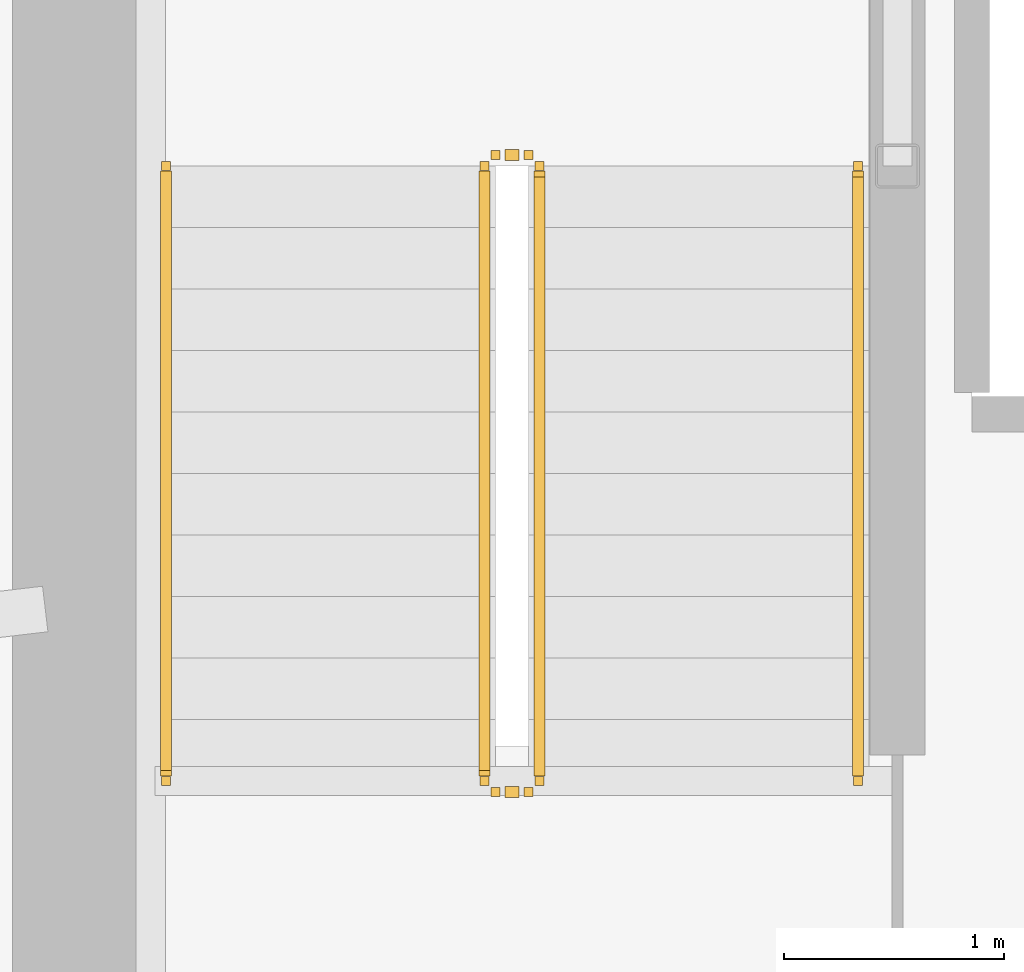
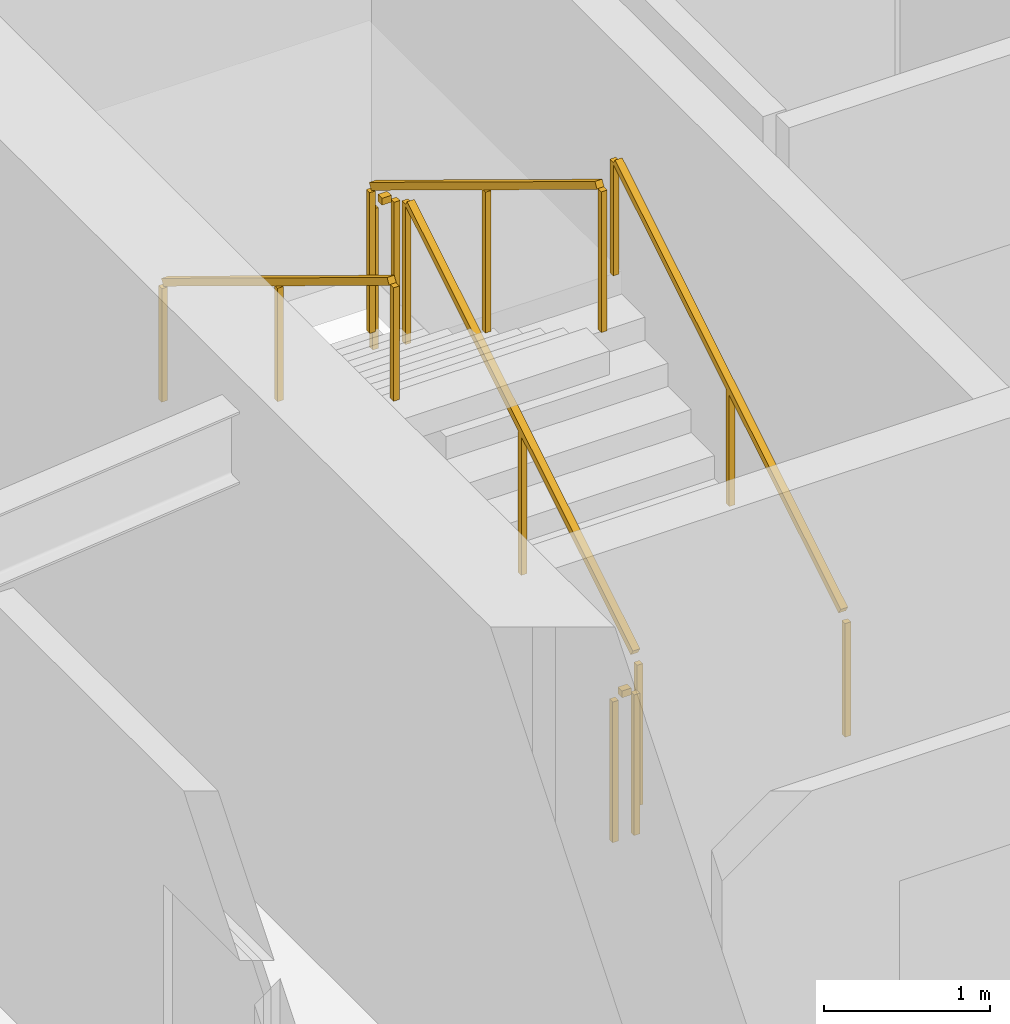
# One storey, part 17 of 20: 6 railings.
"""IFC4 building model written with IfcOpenShell, lengths in metres."""

from ifc_helpers import new_model, si_unit, direction, frame, origin, origin_2d, place, context, subcontext, project, spatial, rectangle, extrude, material, type_object, element, save


model = new_model("IFC4")

# Units and contexts
model_context = context("Model", 3, precision=1e-05, world=origin(), true_north=direction((0.0, 1.0)))
body_context = subcontext(model_context, "Body", "Model", "MODEL_VIEW")
ifc_project = project(units=[si_unit("LENGTHUNIT", "METRE"), si_unit("AREAUNIT", "SQUARE_METRE"), si_unit("VOLUMEUNIT", "CUBIC_METRE"), si_unit("PLANEANGLEUNIT", "RADIAN"), si_unit("MASSUNIT", "GRAM", prefix="KILO")], contexts=[model_context])

# Site, building, storey
site_placement = place(None, origin())
site = spatial("IfcSite", under=ifc_project, at=site_placement, CompositionType="ELEMENT")
building_placement = place(site_placement, origin())
building = spatial("IfcBuilding", under=site, at=building_placement, Name="Kazma Halo Residences", CompositionType="ELEMENT")
storey_placement = place(building_placement, frame((0.0, 0.0, 202.800048828125)))
storey = spatial("IfcBuildingStorey", under=building, at=storey_placement, Name="L51", CompositionType="ELEMENT", Elevation=202.800048828125)

# Railings
ifc_material_1 = material(Name="Painted Steel S355", Category="steel")
railing_type_1 = type_object("IfcRailingType", Name="RLG-STAIR-GRD-1100", PredefinedType="GUARDRAIL", material=ifc_material_1)
railing_1_placement = place(storey_placement, frame((39.550048828125, 39.949951171875, 0.17041015625)))
element("IfcRailing", 1, at=railing_1_placement, inside=storey, type_object=railing_type_1, Name="L51 ST-01 stair guard 1", PredefinedType="GUARDRAIL", context=body_context, shape_type="SweptSolid", body=[
    extrude(rectangle(XDim=0.050048828125, YDim=0.050048828125, at=origin_2d()), frame((0.0, 0.036376953125, 1.09716796875), z_axis=(0.0, 0.854169791009, 0.51999420009), x_axis=(-1.0, 0.0, 0.0)), (0.0, 0.0, 1.0), 3.193115234375),
    extrude(rectangle(XDim=0.0400390625, YDim=0.0400390625, at=origin_2d()), origin(), (0.0, 0.0, 1.0), 1.0380859375),
    extrude(rectangle(XDim=0.0400390625, YDim=0.0400390625, at=origin_2d()), frame((0.0, 1.39990234375, 0.852294921875)), (0.0, 0.0, 1.0), 1.0380859375),
    extrude(rectangle(XDim=0.0400390625, YDim=0.0400390625, at=origin_2d()), frame((0.0, 2.800048828125, 1.70458984375)), (0.0, 0.0, 1.0), 1.0380859375),
])
railing_2_placement = place(storey_placement, frame((39.5, 42.800048828125, 1.875)))
element("IfcRailing", 2, at=railing_2_placement, inside=storey, type_object=railing_type_1, Name="L51 ST-01 stair guard 2", PredefinedType="GUARDRAIL", context=body_context, shape_type="SweptSolid", body=[
    extrude(rectangle(XDim=0.050048828125, YDim=0.050048828125, at=origin_2d()), frame((-0.04248046875, 0.0, 1.0751953125), z_axis=(-1.0, 0.0, 0.0), x_axis=(0.0, -1.0, 0.0)), (0.0, 0.0, 1.0), 0.06494140625),
    extrude(rectangle(XDim=0.0400390625, YDim=0.0400390625, at=origin_2d()), origin(), (0.0, 0.0, 1.0), 1.0380859375),
    extrude(rectangle(XDim=0.0400390625, YDim=0.0400390625, at=origin_2d()), frame((-0.14990234375, 0.0, 0.0)), (0.0, 0.0, 1.0), 1.0380859375),
])
railing_3_placement = place(storey_placement, frame((39.300048828125, 42.75, 2.04541015625)))
element("IfcRailing", 3, at=railing_3_placement, inside=storey, type_object=railing_type_1, Name="L51 ST-01 stair guard 3", PredefinedType="GUARDRAIL", context=body_context, shape_type="SweptSolid", body=[
    extrude(rectangle(XDim=0.050048828125, YDim=0.050048828125, at=origin_2d()), frame((0.0, -0.036376953125, 1.09716796875), z_axis=(0.0, -0.854169791009, 0.51999420009), x_axis=(1.0, 0.0, 0.0)), (0.0, 0.0, 1.0), 3.193115234375),
    extrude(rectangle(XDim=0.0400390625, YDim=0.0400390625, at=origin_2d()), origin(), (0.0, 0.0, 1.0), 1.0380859375),
    extrude(rectangle(XDim=0.0400390625, YDim=0.0400390625, at=origin_2d()), frame((0.0, -1.39990234375, 0.852294921875)), (0.0, 0.0, 1.0), 1.0380859375),
    extrude(rectangle(XDim=0.0400390625, YDim=0.0400390625, at=origin_2d()), frame((0.0, -2.800048828125, 1.70458984375)), (0.0, 0.0, 1.0), 1.0380859375),
])
railing_4_placement = place(storey_placement, frame((39.5, 39.89990234375, 0.0)))
element("IfcRailing", 4, at=railing_4_placement, inside=storey, type_object=railing_type_1, Name="L51 ST-01 stair guard 4", PredefinedType="GUARDRAIL", context=body_context, shape_type="SweptSolid", body=[
    extrude(rectangle(XDim=0.050048828125, YDim=0.050048828125, at=origin_2d()), frame((-0.04248046875, 0.0, 1.0751953125), z_axis=(-1.0, 0.0, 0.0), x_axis=(0.0, -1.0, 0.0)), (0.0, 0.0, 1.0), 0.06494140625),
    extrude(rectangle(XDim=0.0400390625, YDim=0.0400390625, at=origin_2d()), origin(), (0.0, 0.0, 1.0), 1.0380859375),
    extrude(rectangle(XDim=0.0400390625, YDim=0.0400390625, at=origin_2d()), frame((-0.14990234375, 0.0, 0.0)), (0.0, 0.0, 1.0), 1.0380859375),
])
ifc_material_2 = material(Name="Brushed Stainless Steel", Category="steel")
railing_type_2 = type_object("IfcRailingType", Name="RLG-STAIR-HND-900", PredefinedType="HANDRAIL", material=ifc_material_2)
railing_5_placement = place(storey_placement, frame((41.0, 39.949951171875, 0.17041015625)))
element("IfcRailing", 5, at=railing_5_placement, inside=storey, type_object=railing_type_2, Name="L51 ST-01 stair handrail 1", PredefinedType="HANDRAIL", context=body_context, shape_type="SweptSolid", body=[
    extrude(rectangle(XDim=0.050048828125, YDim=0.050048828125, at=origin_2d()), frame((0.0, 0.036376953125, 0.89697265625), z_axis=(0.0, 0.854169791009, 0.51999420009), x_axis=(-1.0, 0.0, 0.0)), (0.0, 0.0, 1.0), 3.193115234375),
    extrude(rectangle(XDim=0.0400390625, YDim=0.0400390625, at=origin_2d()), origin(), (0.0, 0.0, 1.0), 0.837890625),
    extrude(rectangle(XDim=0.0400390625, YDim=0.0400390625, at=origin_2d()), frame((0.0, 1.39990234375, 0.852294921875)), (0.0, 0.0, 1.0), 0.837890625),
    extrude(rectangle(XDim=0.0400390625, YDim=0.0400390625, at=origin_2d()), frame((0.0, 2.800048828125, 1.70458984375)), (0.0, 0.0, 1.0), 0.837890625),
])
railing_6_placement = place(storey_placement, frame((37.85009765625, 42.75, 2.04541015625)))
element("IfcRailing", 6, at=railing_6_placement, inside=storey, type_object=railing_type_2, Name="L51 ST-01 stair handrail 2", PredefinedType="HANDRAIL", context=body_context, shape_type="SweptSolid", body=[
    extrude(rectangle(XDim=0.050048828125, YDim=0.050048828125, at=origin_2d()), frame((0.0, -0.036376953125, 0.89697265625), z_axis=(0.0, -0.854169791009, 0.51999420009), x_axis=(1.0, 0.0, 0.0)), (0.0, 0.0, 1.0), 3.193115234375),
    extrude(rectangle(XDim=0.0400390625, YDim=0.0400390625, at=origin_2d()), origin(), (0.0, 0.0, 1.0), 0.837890625),
    extrude(rectangle(XDim=0.0400390625, YDim=0.0400390625, at=origin_2d()), frame((0.0, -1.39990234375, 0.852294921875)), (0.0, 0.0, 1.0), 0.837890625),
    extrude(rectangle(XDim=0.0400390625, YDim=0.0400390625, at=origin_2d()), frame((0.0, -2.800048828125, 1.70458984375)), (0.0, 0.0, 1.0), 0.837890625),
])

save(model, "model.ifc")
